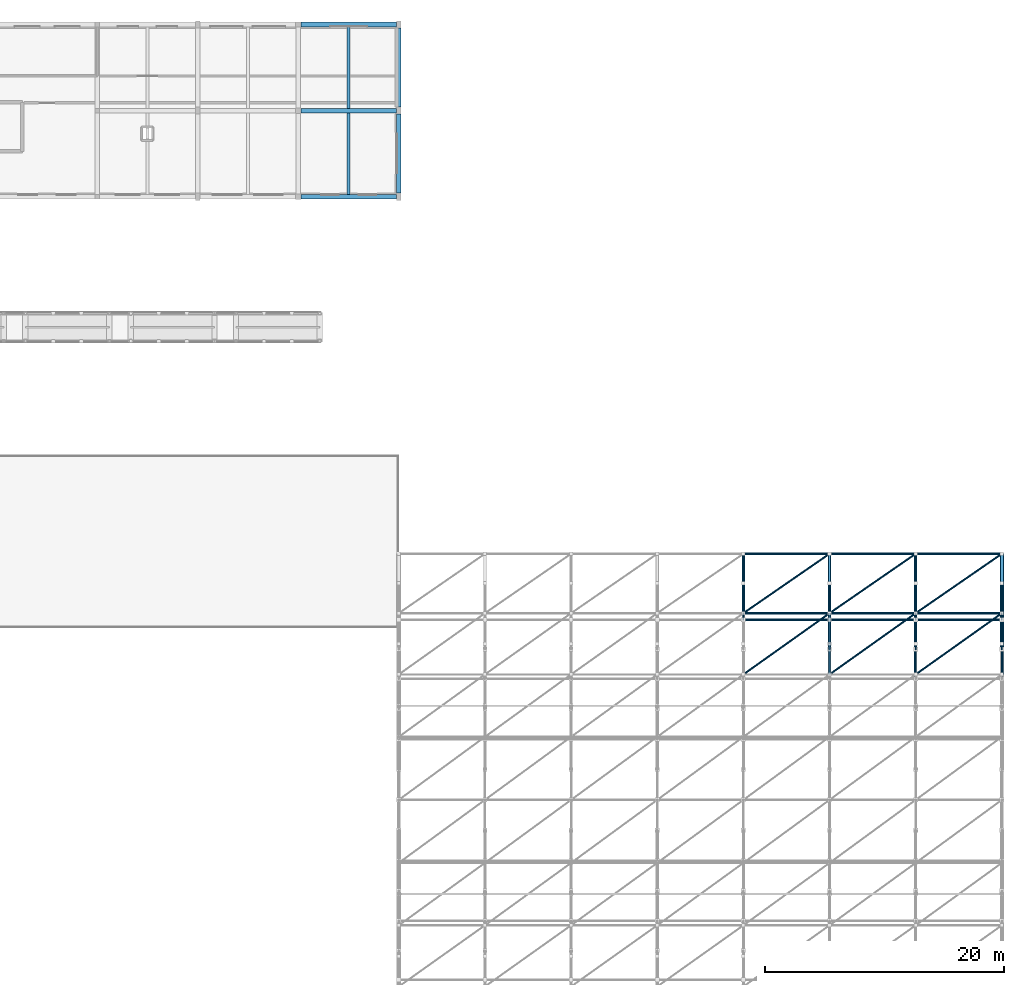
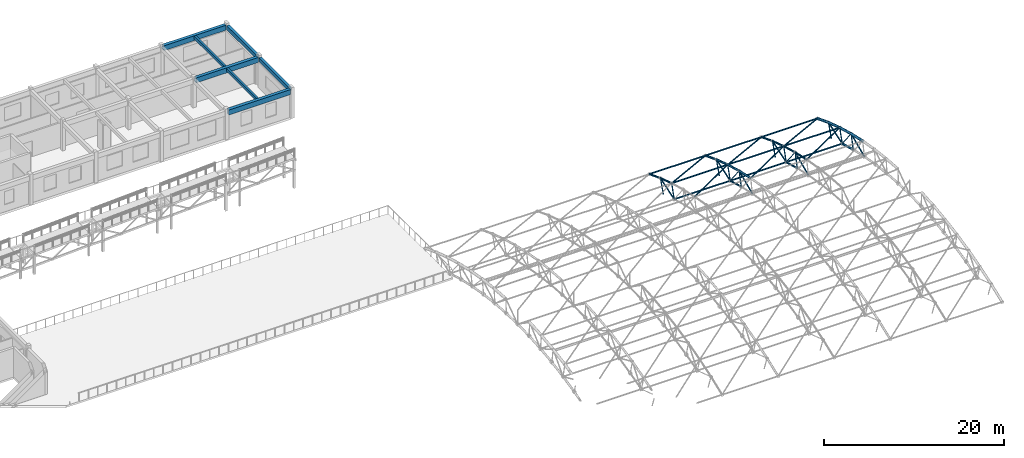
# One storey, part 23 of 41: 53 members, 7 beams.
"""IFC4 building model written with IfcOpenShell, lengths in metres."""

from ifc_helpers import new_model, si_unit, direction, frame, origin, origin_2d, place, context, subcontext, project, spatial, rectangle, hollow_circle, extrude, material, material_profile, profile_set, type_object, element, save


model = new_model("IFC4")

# Units and contexts
model_context = context("Model", 3, precision=1e-05, world=origin(), true_north=direction((0.0, 1.0)))
body_context = subcontext(model_context, "Body", "Model", "MODEL_VIEW")
ifc_project = project(units=[si_unit("LENGTHUNIT", "METRE"), si_unit("AREAUNIT", "SQUARE_METRE"), si_unit("VOLUMEUNIT", "CUBIC_METRE"), si_unit("PLANEANGLEUNIT", "RADIAN"), si_unit("MASSUNIT", "GRAM", prefix="KILO")], contexts=[model_context])

# Site, building, storey
site_placement = place(None, origin())
site = spatial("IfcSite", under=ifc_project, at=site_placement, CompositionType="ELEMENT")
building_placement = place(site_placement, origin())
building = spatial("IfcBuilding", under=site, at=building_placement, Name="Malvenik Polytechnic", CompositionType="ELEMENT")
storey_placement = place(building_placement, frame((0.0, 0.0, 17.699951171875)))
storey = spatial("IfcBuildingStorey", under=building, at=storey_placement, Name="L04", CompositionType="ELEMENT", Elevation=17.699951171875)

# Beams
ifc_material_1 = material(Name="Concrete C35/45", Category="concrete")
ifc_material_profile_1 = material_profile(ifc_material_1, rectangle(XDim=0.39990234375, YDim=0.679931640625, at=origin_2d()), Name="RC BM 400x680")
ifc_profile_set_1 = profile_set([ifc_material_profile_1], Name="Concrete C35/45")
beam_type_1 = type_object("IfcBeamType", Name="STR-BM-B-05", PredefinedType="BEAM", material=ifc_profile_set_1)
for number, where, z_axis, x_axis, name in (
    (1, (126.222900390625, 115.199951171875, 3.580078125), (1.0, 0.0, 0.0), (0.0, 1.0, 0.0), "Primary Beam B-05 L04 #1858"),
    (2, (126.222900390625, 122.39990234375, 3.580078125), (1.0, 0.0, 0.0), (0.0, 1.0, 0.0), "Primary Beam B-05 L04 #1868"),
):
    element("IfcBeam", number, at=place(storey_placement, frame(where, z_axis=z_axis, x_axis=x_axis)), inside=storey, type_object=beam_type_1, Name=name, PredefinedType="BEAM", context=body_context, shape_type="SweptSolid", body=[
        extrude(rectangle(XDim=0.39990234375, YDim=0.679931640625, at=origin_2d()), origin(), (0.0, 0.0, 1.0), 7.97900390625),
    ])
ifc_material_profile_2 = material_profile(ifc_material_1, rectangle(XDim=0.35009765625, YDim=0.550048828125, at=origin_2d()), Name="RC BM 350x550")
ifc_profile_set_2 = profile_set([ifc_material_profile_2], Name="Concrete C35/45")
beam_type_2 = type_object("IfcBeamType", Name="STR-BM-B-08", PredefinedType="BEAM", material=ifc_profile_set_2)
for number, where, z_axis, x_axis, name in (
    (3, (134.39990234375, 115.498046875, 3.64501953125), (0.0, 1.0, 0.0), (-1.0, 0.0, 0.0), "Transverse Beam B-08 L04 #1920"),
    (4, (134.39990234375, 122.697998046875, 3.64501953125), (0.0, 1.0, 0.0), (-1.0, 0.0, 0.0), "Transverse Beam B-08 L04 #1921"),
):
    element("IfcBeam", number, at=place(storey_placement, frame(where, z_axis=z_axis, x_axis=x_axis)), inside=storey, type_object=beam_type_2, Name=name, PredefinedType="BEAM", context=body_context, shape_type="SweptSolid", body=[
        extrude(rectangle(XDim=0.35009765625, YDim=0.550048828125, at=origin_2d()), origin(), (0.0, 0.0, 1.0), 6.60400390625),
    ])
ifc_material_2 = material(Name="Concrete C30/37", Category="concrete")
ifc_material_profile_3 = material_profile(ifc_material_2, rectangle(XDim=0.239990234375, YDim=0.419921875, at=origin_2d()), Name="RC JST 240x420")
ifc_profile_set_3 = profile_set([ifc_material_profile_3], Name="Concrete C30/37")
beam_type_3 = type_object("IfcBeamType", Name="STR-BM-J-03", PredefinedType="JOIST", material=ifc_profile_set_3)
beam_1_placement = place(storey_placement, frame((130.199951171875, 115.39794921875, 3.7099609375), z_axis=(0.0, 1.0, 0.0), x_axis=(-1.0, 0.0, 0.0)))
element("IfcBeam", 5, at=beam_1_placement, inside=storey, type_object=beam_type_3, Name="Secondary Rib Joist J-03 L04 #1944", PredefinedType="JOIST", context=body_context, shape_type="SweptSolid", body=[
    extrude(rectangle(XDim=0.239990234375, YDim=0.419921875, at=origin_2d()), origin(), (0.0, 0.0, 1.0), 6.803955078125),
])
beam_2_placement = place(storey_placement, frame((130.199951171875, 122.597900390625, 3.7099609375), z_axis=(0.0, 1.0, 0.0), x_axis=(-1.0, 0.0, 0.0)))
element("IfcBeam", 6, at=beam_2_placement, inside=storey, type_object=beam_type_3, Name="Secondary Rib Joist J-03 L04 #1945", PredefinedType="JOIST", context=body_context, shape_type="SweptSolid", body=[
    extrude(rectangle(XDim=0.239990234375, YDim=0.419921875, at=origin_2d()), origin(), (0.0, 0.0, 1.0), 6.80419921875),
])
ifc_material_3 = material(Name="Precast concrete C40/50", Category="concrete")
ifc_material_profile_4 = material_profile(ifc_material_3, rectangle(XDim=0.39990234375, YDim=0.659912109375, at=origin_2d()), Name="PC SPN 400x660")
ifc_profile_set_4 = profile_set([ifc_material_profile_4], Name="Precast concrete C40/50")
beam_type_4 = type_object("IfcBeamType", Name="STR-BM-SP-03", PredefinedType="SPANDREL", material=ifc_profile_set_4)
beam_3_placement = place(storey_placement, frame((126.222900390625, 129.60009765625, 3.590087890625), z_axis=(1.0, 0.0, 0.0), x_axis=(0.0, 1.0, 0.0)))
element("IfcBeam", 7, at=beam_3_placement, inside=storey, type_object=beam_type_4, Name="Primary Beam SP-03 L04 #1884", PredefinedType="SPANDREL", context=body_context, shape_type="SweptSolid", body=[
    extrude(rectangle(XDim=0.39990234375, YDim=0.659912109375, at=origin_2d()), origin(), (0.0, 0.0, 1.0), 7.97900390625),
])

# Members
ifc_material_4 = material(Name="Steel S355J2H", Category="steel")
ifc_material_profile_5 = material_profile(ifc_material_4, hollow_circle(Radius=0.136474609375, WallThickness=0.010009765625, at=origin_2d()), Name="CHS 273.0x10.0")
ifc_profile_set_5 = profile_set([ifc_material_profile_5], Name="Steel S355J2H")
member_type_1 = type_object("IfcMemberType", Name="STR-MEM-SFB-01", PredefinedType="CHORD", material=ifc_profile_set_5)
member_1_placement = place(storey_placement, frame((184.800048828125, 77.395263671875, 0.855224609375), z_axis=(0.0, 0.964033466727, -0.265780877851), x_axis=(-1.0, 0.0, 0.0)))
element("IfcMember", 8, at=member_1_placement, inside=storey, type_object=member_type_1, Name="Space-Frame Tube SFB-01 STR-SF-BC-0714", PredefinedType="CHORD", context=body_context, shape_type="SweptSolid", body=[
    extrude(hollow_circle(Radius=0.136474609375, WallThickness=0.010009765625, at=origin_2d()), origin(), (0.0, 0.0, 1.0), 2.53515625),
])
ifc_material_profile_6 = material_profile(ifc_material_4, hollow_circle(Radius=0.109619140625, WallThickness=0.010009765625, at=origin_2d()), Name="CHS 219.1x10.0")
ifc_profile_set_6 = profile_set([ifc_material_profile_6], Name="Steel S355J2H")
member_type_2 = type_object("IfcMemberType", Name="STR-MEM-SFB-02", PredefinedType="CHORD", material=ifc_profile_set_6)
member_2_placement = place(storey_placement, frame((170.39990234375, 77.395263671875, 0.855224609375), z_axis=(0.0, 0.964033466727, -0.265780877851), x_axis=(-1.0, 0.0, 0.0)))
element("IfcMember", 9, at=member_2_placement, inside=storey, type_object=member_type_2, Name="Space-Frame Tube SFB-02 STR-SF-BC-0520", PredefinedType="CHORD", context=body_context, shape_type="SweptSolid", body=[
    extrude(hollow_circle(Radius=0.109619140625, WallThickness=0.010009765625, at=origin_2d()), origin(), (0.0, 0.0, 1.0), 2.53515625),
])
ifc_material_profile_7 = material_profile(ifc_material_4, hollow_circle(Radius=0.109619140625, WallThickness=0.008056640625, at=origin_2d()), Name="CHS 219.1x8.0")
ifc_profile_set_7 = profile_set([ifc_material_profile_7], Name="Steel S355J2H")
member_type_3 = type_object("IfcMemberType", Name="STR-MEM-SFB-03", PredefinedType="CHORD", material=ifc_profile_set_7)
member_3_placement = place(storey_placement, frame((177.60009765625, 77.395263671875, 0.855224609375), z_axis=(0.0, 0.964033466727, -0.265780877851), x_axis=(-1.0, 0.0, 0.0)))
element("IfcMember", 10, at=member_3_placement, inside=storey, type_object=member_type_3, Name="Space-Frame Tube SFB-03 STR-SF-BC-0617", PredefinedType="CHORD", context=body_context, shape_type="SweptSolid", body=[
    extrude(hollow_circle(Radius=0.109619140625, WallThickness=0.008056640625, at=origin_2d()), origin(), (0.0, 0.0, 1.0), 2.53515625),
])
ifc_material_profile_8 = material_profile(ifc_material_4, hollow_circle(Radius=0.084228515625, WallThickness=0.00634765625, at=origin_2d()), Name="CHS 168.3x6.3")
ifc_profile_set_8 = profile_set([ifc_material_profile_8], Name="Steel S355J2H")
member_type_4 = type_object("IfcMemberType", Name="STR-MEM-SFD-02", PredefinedType="BRACE", material=ifc_profile_set_8)
for number, where, z_axis, x_axis, name in (
    (11, (163.199951171875, 79.846923828125, 0.181640625), (0.0, 0.948925710664, 0.315499596896), (-1.0, 0.0, 0.0), "Space-Frame Tube SFD-02 STR-SF-AD-0480"),
    (12, (170.39990234375, 74.9130859375, 1.413330078125), (0.0, 0.913567424865, 0.406687300301), (-1.0, 0.0, 0.0), "Space-Frame Tube SFD-02 STR-SF-AD-0575"),
    (13, (170.39990234375, 79.846923828125, 0.181640625), (0.0, 0.948925710664, 0.315499596896), (-1.0, 0.0, 0.0), "Space-Frame Tube SFD-02 STR-SF-AD-0577"),
    (14, (177.60009765625, 74.9130859375, 1.413330078125), (0.0, 0.913567424865, 0.406687300301), (-1.0, 0.0, 0.0), "Space-Frame Tube SFD-02 STR-SF-AD-0672"),
    (15, (177.60009765625, 79.846923828125, 0.181640625), (0.0, 0.948925710664, 0.315499596896), (-1.0, 0.0, 0.0), "Space-Frame Tube SFD-02 STR-SF-AD-0674"),
    (16, (184.800048828125, 74.9130859375, 1.413330078125), (0.0, 0.913567424865, 0.406687300301), (-1.0, 0.0, 0.0), "Space-Frame Tube SFD-02 STR-SF-AD-0769"),
    (17, (184.800048828125, 79.846923828125, 0.181640625), (0.0, 0.948925710664, 0.315499596896), (-1.0, 0.0, 0.0), "Space-Frame Tube SFD-02 STR-SF-AD-0771"),
):
    element("IfcMember", number, at=place(storey_placement, frame(where, z_axis=z_axis, x_axis=x_axis)), inside=storey, type_object=member_type_4, Name=name, PredefinedType="BRACE", context=body_context, shape_type="SweptSolid", body=[
        extrude(hollow_circle(Radius=0.084228515625, WallThickness=0.00634765625, at=origin_2d()), origin(), (0.0, 0.0, 1.0), 3.218994140625),
    ])
member_4_placement = place(storey_placement, frame((163.203125, 75.285888671875, 3.29931640625), z_axis=(0.806764863232, 0.573291793869, -0.143062834223), x_axis=(-0.57925018849, 0.81514981392, 0.0)))
element("IfcMember", 18, at=member_4_placement, inside=storey, type_object=member_type_4, Name="Space-Frame Tube SFD-02 STR-SF-SD-0979", PredefinedType="BRACE", context=body_context, shape_type="SweptSolid", body=[
    extrude(hollow_circle(Radius=0.084228515625, WallThickness=0.00634765625, at=origin_2d()), origin(), (0.0, 0.0, 1.0), 8.91650390625),
])
member_5_placement = place(storey_placement, frame((163.203125, 80.40234375, 2.022216796875), z_axis=(0.806759679952, 0.556586145395, -0.19837006215), x_axis=(-0.567871341818, 0.823117330119, 0.0)))
element("IfcMember", 19, at=member_5_placement, inside=storey, type_object=member_type_4, Name="Space-Frame Tube SFD-02 STR-SF-SD-0980", PredefinedType="BRACE", context=body_context, shape_type="SweptSolid", body=[
    extrude(hollow_circle(Radius=0.084228515625, WallThickness=0.00634765625, at=origin_2d()), origin(), (0.0, 0.0, 1.0), 8.916748046875),
])
for number, where, z_axis, x_axis, name in (
    (20, (170.4033203125, 75.285888671875, 3.29931640625), (0.806755303568, 0.57330445785, -0.143065994473), (-0.57926325146, 0.81514053114, 0.0), "Space-Frame Tube SFD-02 STR-SF-SD-1021"),
    (21, (170.4033203125, 80.40234375, 2.022216796875), (0.80675012012, 0.556598440191, -0.198374444077), (-0.567884399756, 0.823108321252, 0.0), "Space-Frame Tube SFD-02 STR-SF-SD-1022"),
    (22, (177.603271484375, 75.285888671875, 3.29931640625), (0.806764863232, 0.573291793869, -0.143062834223), (-0.57925018849, 0.81514981392, 0.0), "Space-Frame Tube SFD-02 STR-SF-SD-1063"),
):
    element("IfcMember", number, at=place(storey_placement, frame(where, z_axis=z_axis, x_axis=x_axis)), inside=storey, type_object=member_type_4, Name=name, PredefinedType="BRACE", context=body_context, shape_type="SweptSolid", body=[
        extrude(hollow_circle(Radius=0.084228515625, WallThickness=0.00634765625, at=origin_2d()), origin(), (0.0, 0.0, 1.0), 8.91650390625),
    ])
member_6_placement = place(storey_placement, frame((177.603271484375, 80.40234375, 2.022216796875), z_axis=(0.806759679952, 0.556586145395, -0.19837006215), x_axis=(-0.567871341818, 0.823117330119, 0.0)))
element("IfcMember", 23, at=member_6_placement, inside=storey, type_object=member_type_4, Name="Space-Frame Tube SFD-02 STR-SF-SD-1064", PredefinedType="BRACE", context=body_context, shape_type="SweptSolid", body=[
    extrude(hollow_circle(Radius=0.084228515625, WallThickness=0.00634765625, at=origin_2d()), origin(), (0.0, 0.0, 1.0), 8.916748046875),
])
ifc_material_profile_9 = material_profile(ifc_material_4, hollow_circle(Radius=0.06982421875, WallThickness=0.00634765625, at=origin_2d()), Name="CHS 139.7x6.3")
ifc_profile_set_9 = profile_set([ifc_material_profile_9], Name="Steel S355J2H")
member_type_5 = type_object("IfcMemberType", Name="STR-MEM-SFD-03", PredefinedType="BRACE", material=ifc_profile_set_9)
member_7_placement = place(storey_placement, frame((163.199951171875, 79.844482421875, 0.18408203125), z_axis=(0.0, 0.289204975311, 0.957267194808), x_axis=(-1.0, 0.0, 0.0)))
element("IfcMember", 24, at=member_7_placement, inside=storey, type_object=member_type_5, Name="Space-Frame Tube SFD-03 STR-SF-WB-0455", PredefinedType="BRACE", context=body_context, shape_type="SweptSolid", body=[
    extrude(hollow_circle(Radius=0.06982421875, WallThickness=0.00634765625, at=origin_2d()), origin(), (0.0, 0.0, 1.0), 1.917236328125),
])
for number, where, z_axis, x_axis, name in (
    (25, (163.199951171875, 82.260498046875, -0.61083984375), (0.0, 0.335723149579, 0.941960703446), (-1.0, 0.0, 0.0), "Space-Frame Tube SFD-03 STR-SF-WB-0456"),
    (26, (170.39990234375, 77.392333984375, 0.8603515625), (0.0, 0.242116055397, 0.970247296167), (-1.0, 0.0, 0.0), "Space-Frame Tube SFD-03 STR-SF-WB-0551"),
):
    element("IfcMember", number, at=place(storey_placement, frame(where, z_axis=z_axis, x_axis=x_axis)), inside=storey, type_object=member_type_5, Name=name, PredefinedType="BRACE", context=body_context, shape_type="SweptSolid", body=[
        extrude(hollow_circle(Radius=0.06982421875, WallThickness=0.00634765625, at=origin_2d()), origin(), (0.0, 0.0, 1.0), 1.9169921875),
    ])
member_8_placement = place(storey_placement, frame((170.39990234375, 79.844482421875, 0.18408203125), z_axis=(0.0, 0.289204975311, 0.957267194808), x_axis=(-1.0, 0.0, 0.0)))
element("IfcMember", 27, at=member_8_placement, inside=storey, type_object=member_type_5, Name="Space-Frame Tube SFD-03 STR-SF-WB-0552", PredefinedType="BRACE", context=body_context, shape_type="SweptSolid", body=[
    extrude(hollow_circle(Radius=0.06982421875, WallThickness=0.00634765625, at=origin_2d()), origin(), (0.0, 0.0, 1.0), 1.917236328125),
])
for number, where, z_axis, x_axis, name in (
    (28, (170.39990234375, 82.260498046875, -0.61083984375), (0.0, 0.335723149579, 0.941960703446), (-1.0, 0.0, 0.0), "Space-Frame Tube SFD-03 STR-SF-WB-0553"),
    (29, (177.60009765625, 77.392333984375, 0.8603515625), (0.0, 0.242116055397, 0.970247296167), (-1.0, 0.0, 0.0), "Space-Frame Tube SFD-03 STR-SF-WB-0648"),
):
    element("IfcMember", number, at=place(storey_placement, frame(where, z_axis=z_axis, x_axis=x_axis)), inside=storey, type_object=member_type_5, Name=name, PredefinedType="BRACE", context=body_context, shape_type="SweptSolid", body=[
        extrude(hollow_circle(Radius=0.06982421875, WallThickness=0.00634765625, at=origin_2d()), origin(), (0.0, 0.0, 1.0), 1.9169921875),
    ])
member_9_placement = place(storey_placement, frame((177.60009765625, 79.844482421875, 0.18408203125), z_axis=(0.0, 0.289204975311, 0.957267194808), x_axis=(-1.0, 0.0, 0.0)))
element("IfcMember", 30, at=member_9_placement, inside=storey, type_object=member_type_5, Name="Space-Frame Tube SFD-03 STR-SF-WB-0649", PredefinedType="BRACE", context=body_context, shape_type="SweptSolid", body=[
    extrude(hollow_circle(Radius=0.06982421875, WallThickness=0.00634765625, at=origin_2d()), origin(), (0.0, 0.0, 1.0), 1.917236328125),
])
for number, where, z_axis, x_axis, name in (
    (31, (177.60009765625, 82.260498046875, -0.61083984375), (0.0, 0.335723149579, 0.941960703446), (-1.0, 0.0, 0.0), "Space-Frame Tube SFD-03 STR-SF-WB-0650"),
    (32, (184.800048828125, 77.392333984375, 0.8603515625), (0.0, 0.242116055397, 0.970247296167), (-1.0, 0.0, 0.0), "Space-Frame Tube SFD-03 STR-SF-WB-0745"),
):
    element("IfcMember", number, at=place(storey_placement, frame(where, z_axis=z_axis, x_axis=x_axis)), inside=storey, type_object=member_type_5, Name=name, PredefinedType="BRACE", context=body_context, shape_type="SweptSolid", body=[
        extrude(hollow_circle(Radius=0.06982421875, WallThickness=0.00634765625, at=origin_2d()), origin(), (0.0, 0.0, 1.0), 1.9169921875),
    ])
member_10_placement = place(storey_placement, frame((184.800048828125, 79.844482421875, 0.18408203125), z_axis=(0.0, 0.289204975311, 0.957267194808), x_axis=(-1.0, 0.0, 0.0)))
element("IfcMember", 33, at=member_10_placement, inside=storey, type_object=member_type_5, Name="Space-Frame Tube SFD-03 STR-SF-WB-0746", PredefinedType="BRACE", context=body_context, shape_type="SweptSolid", body=[
    extrude(hollow_circle(Radius=0.06982421875, WallThickness=0.00634765625, at=origin_2d()), origin(), (0.0, 0.0, 1.0), 1.917236328125),
])
member_11_placement = place(storey_placement, frame((184.800048828125, 82.260498046875, -0.61083984375), z_axis=(0.0, 0.335723149579, 0.941960703446), x_axis=(-1.0, 0.0, 0.0)))
element("IfcMember", 34, at=member_11_placement, inside=storey, type_object=member_type_5, Name="Space-Frame Tube SFD-03 STR-SF-WB-0747", PredefinedType="BRACE", context=body_context, shape_type="SweptSolid", body=[
    extrude(hollow_circle(Radius=0.06982421875, WallThickness=0.00634765625, at=origin_2d()), origin(), (0.0, 0.0, 1.0), 1.9169921875),
])
ifc_material_profile_10 = material_profile(ifc_material_4, hollow_circle(Radius=0.05712890625, WallThickness=0.0048828125, at=origin_2d()), Name="CHS 114.3x5.0")
ifc_profile_set_10 = profile_set([ifc_material_profile_10], Name="Steel S355J2H")
member_type_6 = type_object("IfcMemberType", Name="STR-MEM-SFD-04", PredefinedType="BRACE", material=ifc_profile_set_10)
for number, where, z_axis, x_axis, name in (
    (35, (170.39990234375, 77.860107421875, 2.720947265625), (0.0, 0.615336380621, -0.788264637469), (-1.0, 0.0, 0.0), "Space-Frame Tube SFD-04 STR-SF-AD-0576"),
    (36, (177.60009765625, 77.860107421875, 2.720947265625), (0.0, 0.615336380621, -0.788264637469), (-1.0, 0.0, 0.0), "Space-Frame Tube SFD-04 STR-SF-AD-0673"),
    (37, (184.800048828125, 77.860107421875, 2.720947265625), (0.0, 0.615336380621, -0.788264637469), (-1.0, 0.0, 0.0), "Space-Frame Tube SFD-04 STR-SF-AD-0770"),
):
    element("IfcMember", number, at=place(storey_placement, frame(where, z_axis=z_axis, x_axis=x_axis)), inside=storey, type_object=member_type_6, Name=name, PredefinedType="BRACE", context=body_context, shape_type="SweptSolid", body=[
        extrude(hollow_circle(Radius=0.05712890625, WallThickness=0.0048828125, at=origin_2d()), origin(), (0.0, 0.0, 1.0), 3.218994140625),
    ])
ifc_material_profile_11 = material_profile(ifc_material_4, hollow_circle(Radius=0.096923828125, WallThickness=0.008056640625, at=origin_2d()), Name="CHS 193.7x8.0")
ifc_profile_set_11 = profile_set([ifc_material_profile_11], Name="Steel S355J2H")
member_type_7 = type_object("IfcMemberType", Name="STR-MEM-SFL-01", PredefinedType="CHORD", material=ifc_profile_set_11)
for number, where, z_axis, x_axis, name in (
    (38, (163.2041015625, 79.84326171875, 0.180419921875), (1.0, 0.0, 0.0), (0.0, 1.0, 0.0), "Space-Frame Tube SFL-01 STR-SF-LB-0963"),
    (39, (163.2041015625, 80.400146484375, 2.02294921875), (1.0, 0.0, 0.0), (0.0, 1.0, 0.0), "Space-Frame Tube SFL-01 STR-SF-LT-0964"),
    (40, (163.2041015625, 85.367431640625, 0.25244140625), (1.0, 0.0, 0.0), (0.0, 1.0, 0.0), "Space-Frame Tube SFL-01 STR-SF-LT-0966"),
    (41, (170.404052734375, 79.84326171875, 0.180419921875), (1.0, 0.0, 0.0), (0.0, 1.0, 0.0), "Space-Frame Tube SFL-01 STR-SF-LB-1005"),
    (42, (170.404052734375, 80.400146484375, 2.02294921875), (1.0, 0.0, 0.0), (0.0, 1.0, 0.0), "Space-Frame Tube SFL-01 STR-SF-LT-1006"),
    (43, (170.404052734375, 85.367431640625, 0.25244140625), (1.0, 0.0, 0.0), (0.0, 1.0, 0.0), "Space-Frame Tube SFL-01 STR-SF-LT-1008"),
    (44, (177.60400390625, 79.84326171875, 0.180419921875), (1.0, 0.0, 0.0), (0.0, 1.0, 0.0), "Space-Frame Tube SFL-01 STR-SF-LB-1047"),
    (45, (177.60400390625, 80.400146484375, 2.02294921875), (1.0, 0.0, 0.0), (0.0, 1.0, 0.0), "Space-Frame Tube SFL-01 STR-SF-LT-1048"),
    (46, (177.60400390625, 85.367431640625, 0.25244140625), (1.0, 0.0, 0.0), (0.0, 1.0, 0.0), "Space-Frame Tube SFL-01 STR-SF-LT-1050"),
):
    element("IfcMember", number, at=place(storey_placement, frame(where, z_axis=z_axis, x_axis=x_axis)), inside=storey, type_object=member_type_7, Name=name, PredefinedType="CHORD", context=body_context, shape_type="SweptSolid", body=[
        extrude(hollow_circle(Radius=0.096923828125, WallThickness=0.008056640625, at=origin_2d()), origin(), (0.0, 0.0, 1.0), 7.19189453125),
    ])
ifc_material_profile_12 = material_profile(ifc_material_4, hollow_circle(Radius=0.136474609375, WallThickness=0.012451171875, at=origin_2d()), Name="CHS 273.0x12.5")
ifc_profile_set_12 = profile_set([ifc_material_profile_12], Name="Steel S355J2H")
member_type_8 = type_object("IfcMemberType", Name="STR-MEM-SFT-02", PredefinedType="CHORD", material=ifc_profile_set_12)
for number, where, z_axis, x_axis, name in (
    (47, (170.39990234375, 75.28759765625, 3.299072265625), (0.0, 0.975862636311, -0.218385244586), (-1.0, 0.0, 0.0), "Space-Frame Tube SFT-02 STR-SF-TC-0519"),
    (48, (170.39990234375, 77.861328125, 2.722900390625), (0.0, 0.964046768425, -0.265732625564), (-1.0, 0.0, 0.0), "Space-Frame Tube SFT-02 STR-SF-TC-0521"),
    (49, (170.39990234375, 80.40380859375, 2.021728515625), (0.0, 0.949910921272, -0.312520785945), (-1.0, 0.0, 0.0), "Space-Frame Tube SFT-02 STR-SF-TC-0523"),
):
    element("IfcMember", number, at=place(storey_placement, frame(where, z_axis=z_axis, x_axis=x_axis)), inside=storey, type_object=member_type_8, Name=name, PredefinedType="CHORD", context=body_context, shape_type="SweptSolid", body=[
        extrude(hollow_circle(Radius=0.136474609375, WallThickness=0.012451171875, at=origin_2d()), origin(), (0.0, 0.0, 1.0), 2.62939453125),
    ])
member_12_placement = place(storey_placement, frame((170.39990234375, 82.9091796875, 1.197265625), z_axis=(0.0, 0.93343650429, -0.358742654921), x_axis=(-1.0, 0.0, 0.0)))
element("IfcMember", 50, at=member_12_placement, inside=storey, type_object=member_type_8, Name="Space-Frame Tube SFT-02 STR-SF-TC-0525", PredefinedType="CHORD", context=body_context, shape_type="SweptSolid", body=[
    extrude(hollow_circle(Radius=0.136474609375, WallThickness=0.012451171875, at=origin_2d()), origin(), (0.0, 0.0, 1.0), 2.629638671875),
])
ifc_material_profile_13 = material_profile(ifc_material_4, hollow_circle(Radius=0.122314453125, WallThickness=0.010009765625, at=origin_2d()), Name="CHS 244.5x10.0")
ifc_profile_set_13 = profile_set([ifc_material_profile_13], Name="Steel S355J2H")
member_type_9 = type_object("IfcMemberType", Name="STR-MEM-SFT-03", PredefinedType="CHORD", material=ifc_profile_set_13)
member_13_placement = place(storey_placement, frame((163.199951171875, 80.40380859375, 2.021728515625), z_axis=(0.0, 0.949910921272, -0.312520785945), x_axis=(-1.0, 0.0, 0.0)))
element("IfcMember", 51, at=member_13_placement, inside=storey, type_object=member_type_9, Name="Space-Frame Tube SFT-03 STR-SF-TC-0426", PredefinedType="CHORD", context=body_context, shape_type="SweptSolid", body=[
    extrude(hollow_circle(Radius=0.122314453125, WallThickness=0.010009765625, at=origin_2d()), origin(), (0.0, 0.0, 1.0), 2.62939453125),
])
member_14_placement = place(storey_placement, frame((163.199951171875, 82.9091796875, 1.197265625), z_axis=(0.0, 0.93343650429, -0.358742654921), x_axis=(-1.0, 0.0, 0.0)))
element("IfcMember", 52, at=member_14_placement, inside=storey, type_object=member_type_9, Name="Space-Frame Tube SFT-03 STR-SF-TC-0428", PredefinedType="CHORD", context=body_context, shape_type="SweptSolid", body=[
    extrude(hollow_circle(Radius=0.122314453125, WallThickness=0.010009765625, at=origin_2d()), origin(), (0.0, 0.0, 1.0), 2.629638671875),
])
for number, where, z_axis, x_axis, name in (
    (53, (177.60009765625, 75.28759765625, 3.299072265625), (0.0, 0.975862636311, -0.218385244586), (-1.0, 0.0, 0.0), "Space-Frame Tube SFT-03 STR-SF-TC-0616"),
    (54, (177.60009765625, 77.861328125, 2.722900390625), (0.0, 0.964046768425, -0.265732625564), (-1.0, 0.0, 0.0), "Space-Frame Tube SFT-03 STR-SF-TC-0618"),
    (55, (177.60009765625, 80.40380859375, 2.021728515625), (0.0, 0.949910921272, -0.312520785945), (-1.0, 0.0, 0.0), "Space-Frame Tube SFT-03 STR-SF-TC-0620"),
):
    element("IfcMember", number, at=place(storey_placement, frame(where, z_axis=z_axis, x_axis=x_axis)), inside=storey, type_object=member_type_9, Name=name, PredefinedType="CHORD", context=body_context, shape_type="SweptSolid", body=[
        extrude(hollow_circle(Radius=0.122314453125, WallThickness=0.010009765625, at=origin_2d()), origin(), (0.0, 0.0, 1.0), 2.62939453125),
    ])
member_15_placement = place(storey_placement, frame((177.60009765625, 82.9091796875, 1.197265625), z_axis=(0.0, 0.93343650429, -0.358742654921), x_axis=(-1.0, 0.0, 0.0)))
element("IfcMember", 56, at=member_15_placement, inside=storey, type_object=member_type_9, Name="Space-Frame Tube SFT-03 STR-SF-TC-0622", PredefinedType="CHORD", context=body_context, shape_type="SweptSolid", body=[
    extrude(hollow_circle(Radius=0.122314453125, WallThickness=0.010009765625, at=origin_2d()), origin(), (0.0, 0.0, 1.0), 2.629638671875),
])
ifc_material_profile_14 = material_profile(ifc_material_4, hollow_circle(Radius=0.161865234375, WallThickness=0.012451171875, at=origin_2d()), Name="CHS 323.9x12.5")
ifc_profile_set_14 = profile_set([ifc_material_profile_14], Name="Steel S355J2H")
member_type_10 = type_object("IfcMemberType", Name="STR-MEM-SFT-04", PredefinedType="CHORD", material=ifc_profile_set_14)
for number, where, z_axis, x_axis, name in (
    (57, (184.800048828125, 75.28759765625, 3.299072265625), (0.0, 0.975862636311, -0.218385244586), (-1.0, 0.0, 0.0), "Space-Frame Tube SFT-04 STR-SF-TC-0713"),
    (58, (184.800048828125, 77.861328125, 2.722900390625), (0.0, 0.964046768425, -0.265732625564), (-1.0, 0.0, 0.0), "Space-Frame Tube SFT-04 STR-SF-TC-0715"),
    (59, (184.800048828125, 80.40380859375, 2.021728515625), (0.0, 0.949910921272, -0.312520785945), (-1.0, 0.0, 0.0), "Space-Frame Tube SFT-04 STR-SF-TC-0717"),
):
    element("IfcMember", number, at=place(storey_placement, frame(where, z_axis=z_axis, x_axis=x_axis)), inside=storey, type_object=member_type_10, Name=name, PredefinedType="CHORD", context=body_context, shape_type="SweptSolid", body=[
        extrude(hollow_circle(Radius=0.161865234375, WallThickness=0.012451171875, at=origin_2d()), origin(), (0.0, 0.0, 1.0), 2.62939453125),
    ])
member_16_placement = place(storey_placement, frame((184.800048828125, 82.9091796875, 1.197265625), z_axis=(0.0, 0.93343650429, -0.358742654921), x_axis=(-1.0, 0.0, 0.0)))
element("IfcMember", 60, at=member_16_placement, inside=storey, type_object=member_type_10, Name="Space-Frame Tube SFT-04 STR-SF-TC-0719", PredefinedType="CHORD", context=body_context, shape_type="SweptSolid", body=[
    extrude(hollow_circle(Radius=0.161865234375, WallThickness=0.012451171875, at=origin_2d()), origin(), (0.0, 0.0, 1.0), 2.629638671875),
])

save(model, "model.ifc")
